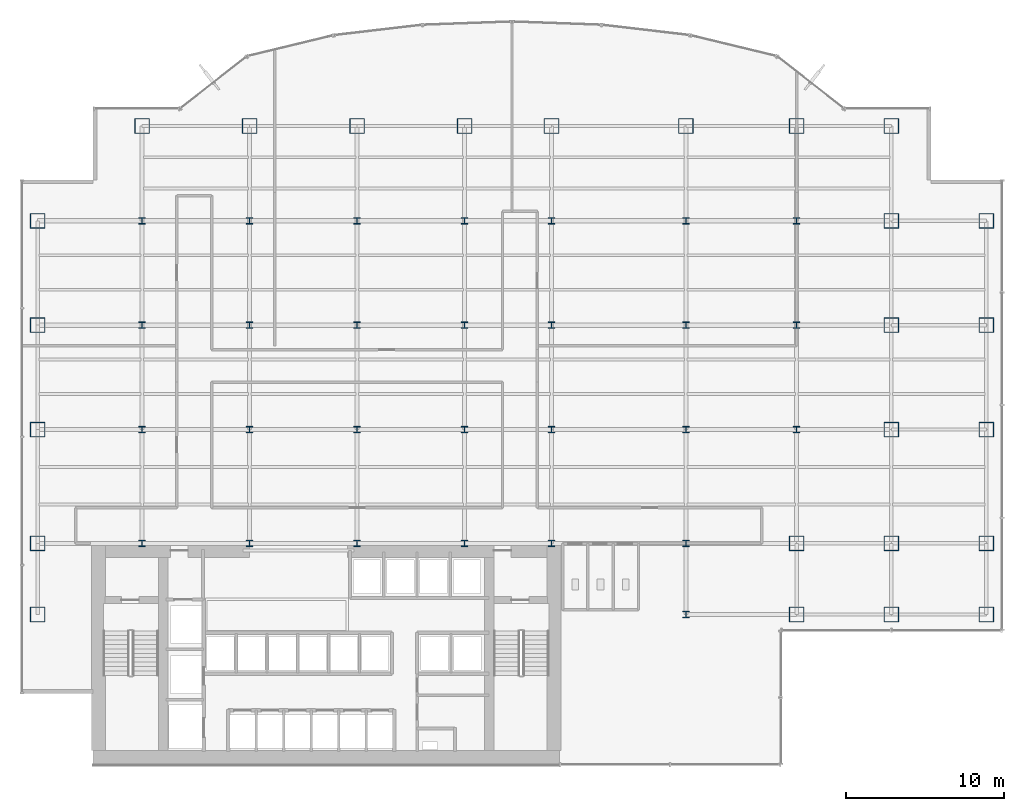
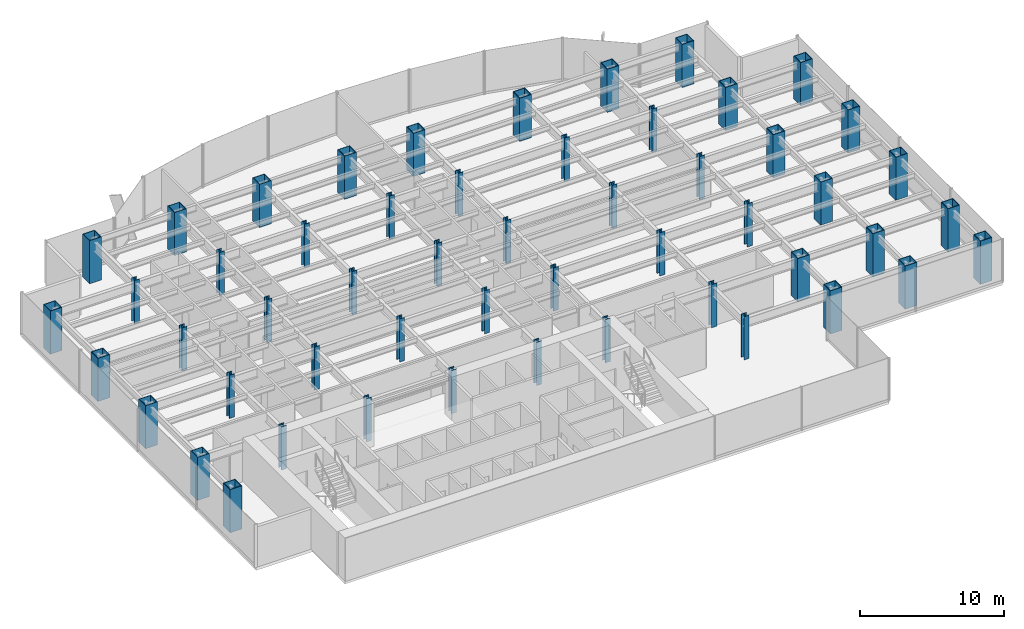
# One storey, part 1 of 23: 53 columns.
"""IFC4 building model written with IfcOpenShell, lengths in metres."""

from ifc_helpers import new_model, si_unit, derived_unit, direction, frame, origin, origin_2d, place, context, subcontext, project, spatial, hollow_rectangle, i_section, extrude, source, transform, mapped, material, material_profile, profile_set, type_object, element, save


model = new_model("IFC4")

# Units and contexts
model_context = context("Model", 3, precision=1e-05, world=origin(), true_north=direction((0.0, 1.0)))
body_context = subcontext(model_context, "Body", "Model", "MODEL_VIEW")
ifc_project = project(units=[si_unit("LENGTHUNIT", "METRE"), si_unit("AREAUNIT", "SQUARE_METRE"), si_unit("VOLUMEUNIT", "CUBIC_METRE"), si_unit("PLANEANGLEUNIT", "RADIAN"), si_unit("MASSUNIT", "GRAM", prefix="KILO"), derived_unit("THERMALTRANSMITTANCEUNIT", [(si_unit("POWERUNIT", "WATT"), 1), (si_unit("LENGTHUNIT", "METRE"), -2), (si_unit("THERMODYNAMICTEMPERATUREUNIT", "KELVIN"), -1)])], contexts=[model_context])

# Site, building, storey
site_placement = place(None, origin())
site = spatial("IfcSite", under=ifc_project, at=site_placement, CompositionType="ELEMENT")
building_placement = place(site_placement, origin())
building = spatial("IfcBuilding", under=site, at=building_placement, Name="Skarnbrae Concourse Arena and Tower", CompositionType="ELEMENT")
storey_placement = place(building_placement, frame((0.0, 0.0, 43.449951171875)))
storey = spatial("IfcBuildingStorey", under=building, at=storey_placement, Name="L09", CompositionType="ELEMENT", Elevation=43.449951171875)

# Columns
ifc_material = material(Name="Steel CSA G40.21 350W", Category="steel")
ifc_material_profile_1 = material_profile(ifc_material, hollow_rectangle(XDim=0.949951171875, YDim=0.949951171875, WallThickness=0.044921875, at=origin_2d()), Name="BOX950X950X45")
ifc_profile_set_1 = profile_set([ifc_material_profile_1], Name="Steel CSA G40.21 350W")
column_type_1 = type_object("IfcColumnType", Name="COL-TUBE-BOX950", PredefinedType="COLUMN", material=ifc_profile_set_1)
shared_shape_1 = source(origin(), body_context, "Body", "SweptSolid", [
    extrude(hollow_rectangle(XDim=0.949951171875, YDim=0.949951171875, WallThickness=0.044921875, at=origin_2d()), origin(), (0.0, 0.0, 1.0), 3.650146484375),
])
for number, where, z_axis, x_axis, name in (
    (1, (1.0, 9.5, 0.0), (0.0, 0.0, 1.0), (1.0, 0.0, 0.0), "L09 Tower column PC_01_01"),
    (2, (1.0, 14.0, 0.0), (0.0, 0.0, 1.0), (1.0, 0.0, 0.0), "L09 Tower column PC_01_02"),
    (3, (1.0, 21.199951171875, 0.0), (0.0, 0.0, 1.0), (1.0, 0.0, 0.0), "L09 Tower column PC_01_03"),
    (4, (1.0, 27.800048828125, 0.0), (0.0, 0.0, 1.0), (1.0, 0.0, 0.0), "L09 Tower column PC_01_04"),
    (5, (1.0, 34.39990234375, 0.0), (0.0, 0.0, 1.0), (1.0, 0.0, 0.0), "L09 Tower column PC_01_05"),
    (6, (7.60009765625, 40.39990234375, 0.0), (0.0, 0.0, 1.0), (1.0, 0.0, 0.0), "L09 Tower column PC_02_06"),
    (7, (14.39990234375, 40.39990234375, 0.0), (0.0, 0.0, 1.0), (1.0, 0.0, 0.0), "L09 Tower column PC_03_06"),
    (8, (21.199951171875, 40.39990234375, 0.0), (0.0, 0.0, 1.0), (1.0, 0.0, 0.0), "L09 Tower column PC_04_06"),
    (9, (28.0, 40.39990234375, 0.0), (0.0, 0.0, 1.0), (1.0, 0.0, 0.0), "L09 Tower column PC_05_06"),
    (10, (33.5, 40.39990234375, 0.0), (0.0, 0.0, 1.0), (1.0, 0.0, 0.0), "L09 Tower column PC_06_06"),
    (11, (42.0, 40.39990234375, 0.0), (0.0, 0.0, 1.0), (1.0, 0.0, 0.0), "L09 Tower column PC_07_06"),
    (12, (49.0, 9.5, 0.0), (0.0, 0.0, 1.0), (1.0, 0.0, 0.0), "L09 Tower column PC_08_01"),
    (13, (49.0, 14.0, 0.0), (0.0, 0.0, 1.0), (1.0, 0.0, 0.0), "L09 Tower column PC_08_02"),
    (14, (49.0, 40.39990234375, 0.0), (0.0, 0.0, 1.0), (1.0, 0.0, 0.0), "L09 Tower column PC_08_06"),
    (15, (55.0, 9.5, 0.0), (0.0, 0.0, 1.0), (1.0, 0.0, 0.0), "L09 Tower column PC_09_01"),
    (16, (55.0, 14.0, 0.0), (0.0, 0.0, 1.0), (1.0, 0.0, 0.0), "L09 Tower column PC_09_02"),
    (17, (55.0, 21.199951171875, 0.0), (0.0, 0.0, 1.0), (1.0, 0.0, 0.0), "L09 Tower column PC_09_03"),
    (18, (55.0, 27.800048828125, 0.0), (0.0, 0.0, 1.0), (1.0, 0.0, 0.0), "L09 Tower column PC_09_04"),
    (19, (55.0, 34.39990234375, 0.0), (0.0, 0.0, 1.0), (1.0, 0.0, 0.0), "L09 Tower column PC_09_05"),
    (20, (55.0, 40.39990234375, 0.0), (0.0, 0.0, 1.0), (1.0, 0.0, 0.0), "L09 Tower column PC_09_06"),
    (21, (61.0, 9.5, 0.0), (0.0, 0.0, 1.0), (1.0, 0.0, 0.0), "L09 Tower column PC_10_01"),
    (22, (61.0, 14.0, 0.0), (0.0, 0.0, 1.0), (1.0, 0.0, 0.0), "L09 Tower column PC_10_02"),
    (23, (61.0, 21.199951171875, 0.0), (0.0, 0.0, 1.0), (1.0, 0.0, 0.0), "L09 Tower column PC_10_03"),
    (24, (61.0, 27.800048828125, 0.0), (0.0, 0.0, 1.0), (1.0, 0.0, 0.0), "L09 Tower column PC_10_04"),
    (25, (61.0, 34.39990234375, 0.0), (0.0, 0.0, 1.0), (1.0, 0.0, 0.0), "L09 Tower column PC_10_05"),
):
    element("IfcColumn", number, at=place(storey_placement, frame(where, z_axis=z_axis, x_axis=x_axis)), inside=storey, type_object=column_type_1, Name=name, PredefinedType="COLUMN", context=body_context, shape_type="MappedRepresentation", body=[
        mapped(shared_shape_1, transform((0.0, 0.0, 0.0))),
    ])
ifc_material_profile_2 = material_profile(ifc_material, i_section(OverallWidth=0.406005859375, OverallDepth=0.416015625, WebThickness=0.02978515625, FlangeThickness=0.048095703125, at=origin_2d()), Name="W360X382")
ifc_profile_set_2 = profile_set([ifc_material_profile_2], Name="Steel CSA G40.21 350W")
column_type_2 = type_object("IfcColumnType", Name="COL-INT-W360X382", PredefinedType="COLUMN", material=ifc_profile_set_2)
shared_shape_2 = source(origin(), body_context, "Body", "SweptSolid", [
    extrude(i_section(OverallWidth=0.406005859375, OverallDepth=0.416015625, WebThickness=0.02978515625, FlangeThickness=0.048095703125, at=origin_2d()), origin(), (0.0, 0.0, 1.0), 3.650146484375),
])
for number, where, z_axis, x_axis, name in (
    (26, (7.60009765625, 14.0, 0.0), (0.0, 0.0, 1.0), (1.0, 0.0, 0.0), "L09 Tower column IC_02_02"),
    (27, (7.60009765625, 21.199951171875, 0.0), (0.0, 0.0, 1.0), (1.0, 0.0, 0.0), "L09 Tower column IC_02_03"),
    (28, (7.60009765625, 27.800048828125, 0.0), (0.0, 0.0, 1.0), (1.0, 0.0, 0.0), "L09 Tower column IC_02_04"),
    (29, (7.60009765625, 34.39990234375, 0.0), (0.0, 0.0, 1.0), (1.0, 0.0, 0.0), "L09 Tower column IC_02_05"),
    (30, (14.39990234375, 14.0, 0.0), (0.0, 0.0, 1.0), (1.0, 0.0, 0.0), "L09 Tower column IC_03_02"),
    (31, (14.39990234375, 21.199951171875, 0.0), (0.0, 0.0, 1.0), (1.0, 0.0, 0.0), "L09 Tower column IC_03_03"),
    (32, (14.39990234375, 27.800048828125, 0.0), (0.0, 0.0, 1.0), (1.0, 0.0, 0.0), "L09 Tower column IC_03_04"),
    (33, (14.39990234375, 34.39990234375, 0.0), (0.0, 0.0, 1.0), (1.0, 0.0, 0.0), "L09 Tower column IC_03_05"),
    (34, (21.199951171875, 14.0, 0.0), (0.0, 0.0, 1.0), (1.0, 0.0, 0.0), "L09 Tower column IC_04_02"),
    (35, (21.199951171875, 21.199951171875, 0.0), (0.0, 0.0, 1.0), (1.0, 0.0, 0.0), "L09 Tower column IC_04_03"),
    (36, (21.199951171875, 27.800048828125, 0.0), (0.0, 0.0, 1.0), (1.0, 0.0, 0.0), "L09 Tower column IC_04_04"),
    (37, (21.199951171875, 34.39990234375, 0.0), (0.0, 0.0, 1.0), (1.0, 0.0, 0.0), "L09 Tower column IC_04_05"),
    (38, (28.0, 14.0, 0.0), (0.0, 0.0, 1.0), (1.0, 0.0, 0.0), "L09 Tower column IC_05_02"),
    (39, (28.0, 21.199951171875, 0.0), (0.0, 0.0, 1.0), (1.0, 0.0, 0.0), "L09 Tower column IC_05_03"),
    (40, (28.0, 27.800048828125, 0.0), (0.0, 0.0, 1.0), (1.0, 0.0, 0.0), "L09 Tower column IC_05_04"),
    (41, (28.0, 34.39990234375, 0.0), (0.0, 0.0, 1.0), (1.0, 0.0, 0.0), "L09 Tower column IC_05_05"),
    (42, (33.5, 14.0, 0.0), (0.0, 0.0, 1.0), (1.0, 0.0, 0.0), "L09 Tower column IC_06_02"),
    (43, (33.5, 21.199951171875, 0.0), (0.0, 0.0, 1.0), (1.0, 0.0, 0.0), "L09 Tower column IC_06_03"),
    (44, (33.5, 27.800048828125, 0.0), (0.0, 0.0, 1.0), (1.0, 0.0, 0.0), "L09 Tower column IC_06_04"),
    (45, (33.5, 34.39990234375, 0.0), (0.0, 0.0, 1.0), (1.0, 0.0, 0.0), "L09 Tower column IC_06_05"),
    (46, (42.0, 9.5, 0.0), (0.0, 0.0, 1.0), (1.0, 0.0, 0.0), "L09 Tower column IC_07_01"),
    (47, (42.0, 14.0, 0.0), (0.0, 0.0, 1.0), (1.0, 0.0, 0.0), "L09 Tower column IC_07_02"),
    (48, (42.0, 21.199951171875, 0.0), (0.0, 0.0, 1.0), (1.0, 0.0, 0.0), "L09 Tower column IC_07_03"),
    (49, (42.0, 27.800048828125, 0.0), (0.0, 0.0, 1.0), (1.0, 0.0, 0.0), "L09 Tower column IC_07_04"),
    (50, (42.0, 34.39990234375, 0.0), (0.0, 0.0, 1.0), (1.0, 0.0, 0.0), "L09 Tower column IC_07_05"),
    (51, (49.0, 21.199951171875, 0.0), (0.0, 0.0, 1.0), (1.0, 0.0, 0.0), "L09 Tower column IC_08_03"),
    (52, (49.0, 27.800048828125, 0.0), (0.0, 0.0, 1.0), (1.0, 0.0, 0.0), "L09 Tower column IC_08_04"),
    (53, (49.0, 34.39990234375, 0.0), (0.0, 0.0, 1.0), (1.0, 0.0, 0.0), "L09 Tower column IC_08_05"),
):
    element("IfcColumn", number, at=place(storey_placement, frame(where, z_axis=z_axis, x_axis=x_axis)), inside=storey, type_object=column_type_2, Name=name, PredefinedType="COLUMN", context=body_context, shape_type="MappedRepresentation", body=[
        mapped(shared_shape_2, transform((0.0, 0.0, 0.0))),
    ])

save(model, "model.ifc")
